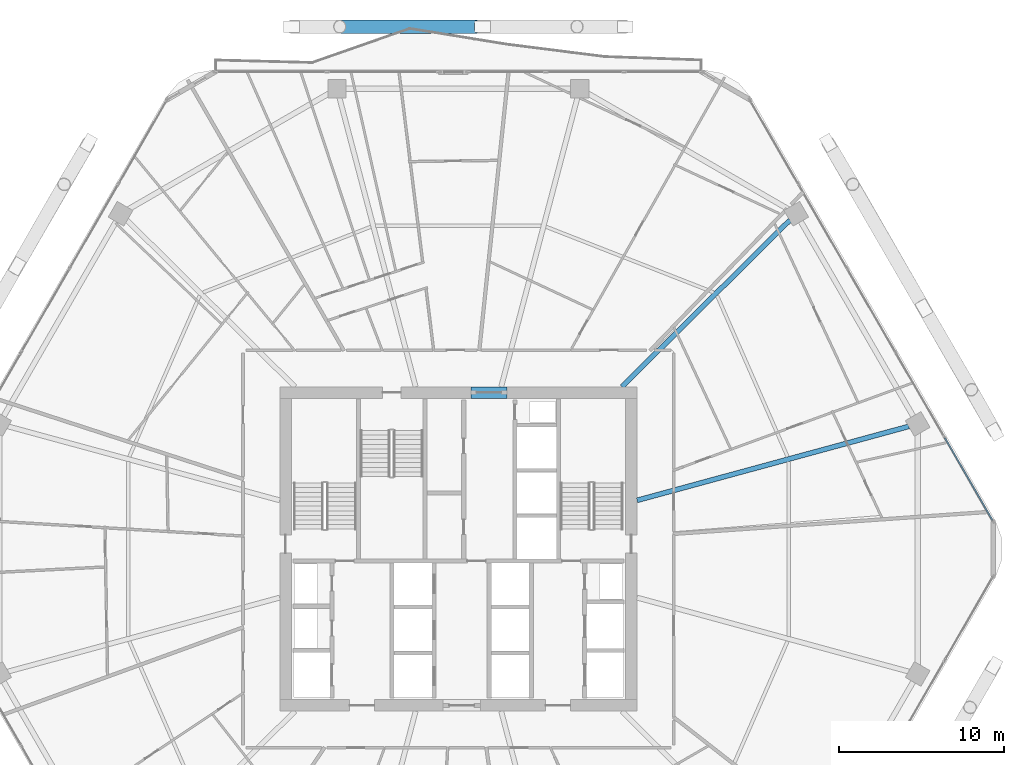
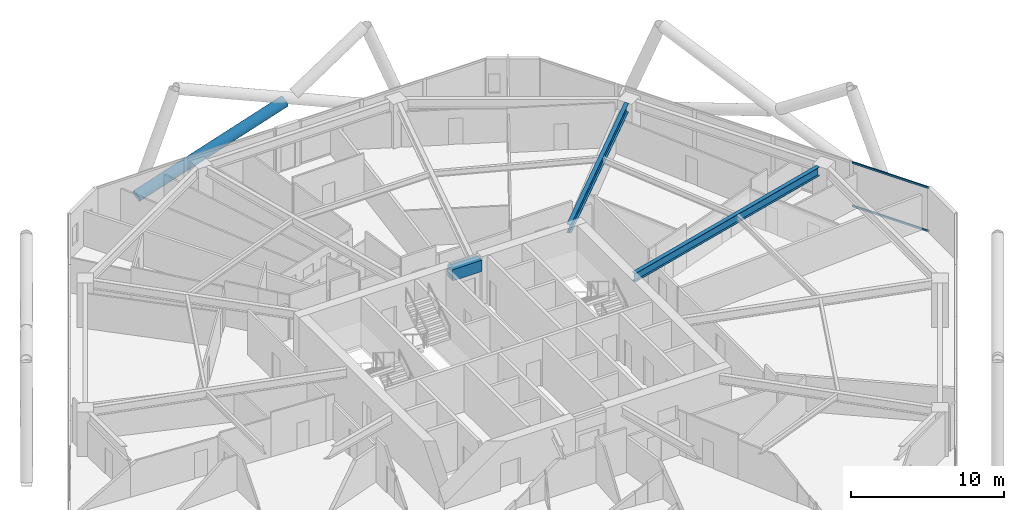
# One storey, part 20 of 35: 3 beams, 3 members, 1 element without a shape of its own.
"""IFC4 building model written with IfcOpenShell, lengths in metres."""

from ifc_helpers import new_model, si_unit, direction, frame, origin, origin_2d, place, context, subcontext, project, spatial, rectangle, hollow_rectangle, hollow_circle, i_section, extrude, material, material_profile, profile_set, type_object, element, aggregate, save


model = new_model("IFC4")

# Units and contexts
model_context = context("Model", 3, precision=1e-05, world=origin(), true_north=direction((0.0, 1.0)))
body_context = subcontext(model_context, "Body", "Model", "MODEL_VIEW")
ifc_project = project(units=[si_unit("LENGTHUNIT", "METRE"), si_unit("AREAUNIT", "SQUARE_METRE"), si_unit("VOLUMEUNIT", "CUBIC_METRE"), si_unit("PLANEANGLEUNIT", "RADIAN"), si_unit("MASSUNIT", "GRAM", prefix="KILO")], contexts=[model_context])

# Site, building, storey
site_placement = place(None, origin())
site = spatial("IfcSite", under=ifc_project, at=site_placement, CompositionType="ELEMENT")
building_placement = place(site_placement, origin())
building = spatial("IfcBuilding", under=site, at=building_placement, Name="Zuhravey Tower", CompositionType="ELEMENT")
storey_placement = place(building_placement, frame((0.0, 0.0, 92.39990234375)))
storey = spatial("IfcBuildingStorey", under=building, at=storey_placement, Name="L22", CompositionType="ELEMENT", Elevation=92.39990234375)

# Beam
ifc_material_1 = material(Name="Concrete C60/75", Category="concrete")
ifc_material_profile_1 = material_profile(ifc_material_1, rectangle(XDim=0.699951171875, YDim=0.89990234375, at=origin_2d()), Name="RC-700x900")
ifc_profile_set_1 = profile_set([ifc_material_profile_1], Name="Concrete C60/75")
beam_type_1 = type_object("IfcBeamType", Name="Core Coupling Beam RC700x900", PredefinedType="LINTEL", material=ifc_profile_set_1)
beam_1_placement = place(storey_placement, frame((36.751953125, 41.5, 3.10009765625), z_axis=(1.0, 0.0, 0.0), x_axis=(0.0, 1.0, 0.0)))
element("IfcBeam", 1, at=beam_1_placement, inside=storey, type_object=beam_type_1, Name="L22 CB1 BM-L22-CB-N", PredefinedType="LINTEL", context=body_context, shape_type="SweptSolid", body=[
    extrude(rectangle(XDim=0.699951171875, YDim=0.89990234375, at=origin_2d()), origin(), (0.0, 0.0, 1.0), 2.196044921875),
])

# Curtain wall, members
ifc_material_2 = material(Name="Thermally broken anodised aluminium", Category="aluminium")
curtain_wall_type = type_object("IfcCurtainWallType", Name="Zone 1-2 Residential Curtain Wall CW3", PredefinedType="NOTDEFINED", material=ifc_material_2)
curtain_wall_placement = place(storey_placement, origin())
curtain_wall = element("IfcCurtainWall", 2, at=curtain_wall_placement, inside=storey, type_object=curtain_wall_type, Name="L22 CW3 CW-L22-F1-1", PredefinedType="NOTDEFINED")
ifc_material_3 = material(Name="Anodised aluminium", Category="aluminium")
ifc_material_profile_2 = material_profile(ifc_material_3, hollow_rectangle(XDim=0.090087890625, YDim=0.14990234375, WallThickness=0.0048828125, at=origin_2d()), Name="ALU-RHS-90x150x5")
ifc_profile_set_2 = profile_set([ifc_material_profile_2], Name="Anodised aluminium")
member_type_1 = type_object("IfcMemberType", Name="Curtain-Wall Transom 90x150", PredefinedType="USERDEFINED", material=ifc_profile_set_2)
member_1_placement = place(storey_placement, frame((65.541015625, 38.750244140625, 0.045166015625), z_axis=(0.500024450573, -0.866011286779, 0.0), x_axis=(0.866011286779, 0.500024450573, 0.0)))
member_1 = element("IfcMember", 3, at=member_1_placement, type_object=member_type_1, Name="CW3 transom 5.1", ObjectType="TRANSOM", PredefinedType="USERDEFINED", context=body_context, shape_type="SweptSolid", body=[
    extrude(hollow_rectangle(XDim=0.090087890625, YDim=0.14990234375, WallThickness=0.0048828125, at=origin_2d()), origin(), (0.0, 0.0, 1.0), 5.784912109375),
])
member_2_placement = place(storey_placement, frame((65.541015625, 38.750244140625, 3.505126953125), z_axis=(0.500024450573, -0.866011286779, 0.0), x_axis=(0.866011286779, 0.500024450573, 0.0)))
member_2 = element("IfcMember", 4, at=member_2_placement, type_object=member_type_1, Name="CW3 transom 5.2", ObjectType="TRANSOM", PredefinedType="USERDEFINED", context=body_context, shape_type="SweptSolid", body=[
    extrude(hollow_rectangle(XDim=0.090087890625, YDim=0.14990234375, WallThickness=0.0048828125, at=origin_2d()), origin(), (0.0, 0.0, 1.0), 5.784912109375),
])
aggregate(curtain_wall, [member_1, member_2])

# Member
ifc_material_4 = material(Name="Steel SM460", Category="steel")
ifc_material_profile_3 = material_profile(ifc_material_4, hollow_circle(Radius=0.406494140625, WallThickness=0.035888671875, at=origin_2d()), Name="CHS-812.8x36")
ifc_profile_set_3 = profile_set([ifc_material_profile_3], Name="Steel SM460")
member_type_2 = type_object("IfcMemberType", Name="Exoskeleton Zone 1 Diagrid CHS813x36", PredefinedType="BRACE", material=ifc_profile_set_3)
member_3_placement = place(storey_placement, frame((25.915283203125, 63.718505859375, -0.44677734375), z_axis=(0.950379613996, 0.0, 0.311092573523), x_axis=(0.0, 1.0, 0.0)))
element("IfcMember", 5, at=member_3_placement, inside=storey, type_object=member_type_2, Name="L22 Face 2 Split Diagrid Brace 3A", PredefinedType="BRACE", context=body_context, shape_type="SweptSolid", body=[
    extrude(hollow_circle(Radius=0.406494140625, WallThickness=0.035888671875, at=origin_2d()), origin(), (0.0, 0.0, 1.0), 11.76318359375),
])

# Beams
ifc_material_5 = material(Name="Steel SM355", Category="steel")
ifc_material_profile_4 = material_profile(ifc_material_5, i_section(OverallWidth=0.300048828125, OverallDepth=0.699951171875, WebThickness=0.012939453125, FlangeThickness=0.02392578125, at=origin_2d()), Name="H-700x300x13x24")
ifc_profile_set_4 = profile_set([ifc_material_profile_4], Name="Steel SM355")
beam_type_2 = type_object("IfcBeamType", Name="Radial Primary Girder H700x300", PredefinedType="BEAM", material=ifc_profile_set_4)
beam_2_placement = place(storey_placement, frame((46.85302734375, 34.954345703125, 3.2001953125), z_axis=(0.964893166225, 0.262642680791, 0.0), x_axis=(-0.262642680791, 0.964893166225, 0.0)))
element("IfcBeam", 6, at=beam_2_placement, inside=storey, type_object=beam_type_2, Name="L22 RG1 BM-L22-RAD-01", PredefinedType="BEAM", context=body_context, shape_type="SweptSolid", body=[
    extrude(i_section(OverallWidth=0.300048828125, OverallDepth=0.699951171875, WebThickness=0.012939453125, FlangeThickness=0.02392578125, at=origin_2d()), origin(), (0.0, 0.0, 1.0), 17.102783203125),
])
beam_3_placement = place(storey_placement, frame((45.931396484375, 41.85302734375, 3.2001953125), z_axis=(0.709906230344, 0.704296204816, 0.0), x_axis=(-0.704296204816, 0.709906230344, 0.0)))
element("IfcBeam", 7, at=beam_3_placement, inside=storey, type_object=beam_type_2, Name="L22 RG1 BM-L22-RAD-02", PredefinedType="BEAM", context=body_context, shape_type="SweptSolid", body=[
    extrude(i_section(OverallWidth=0.300048828125, OverallDepth=0.699951171875, WebThickness=0.012939453125, FlangeThickness=0.02392578125, at=origin_2d()), origin(), (0.0, 0.0, 1.0), 14.361083984375),
])

save(model, "model.ifc")
